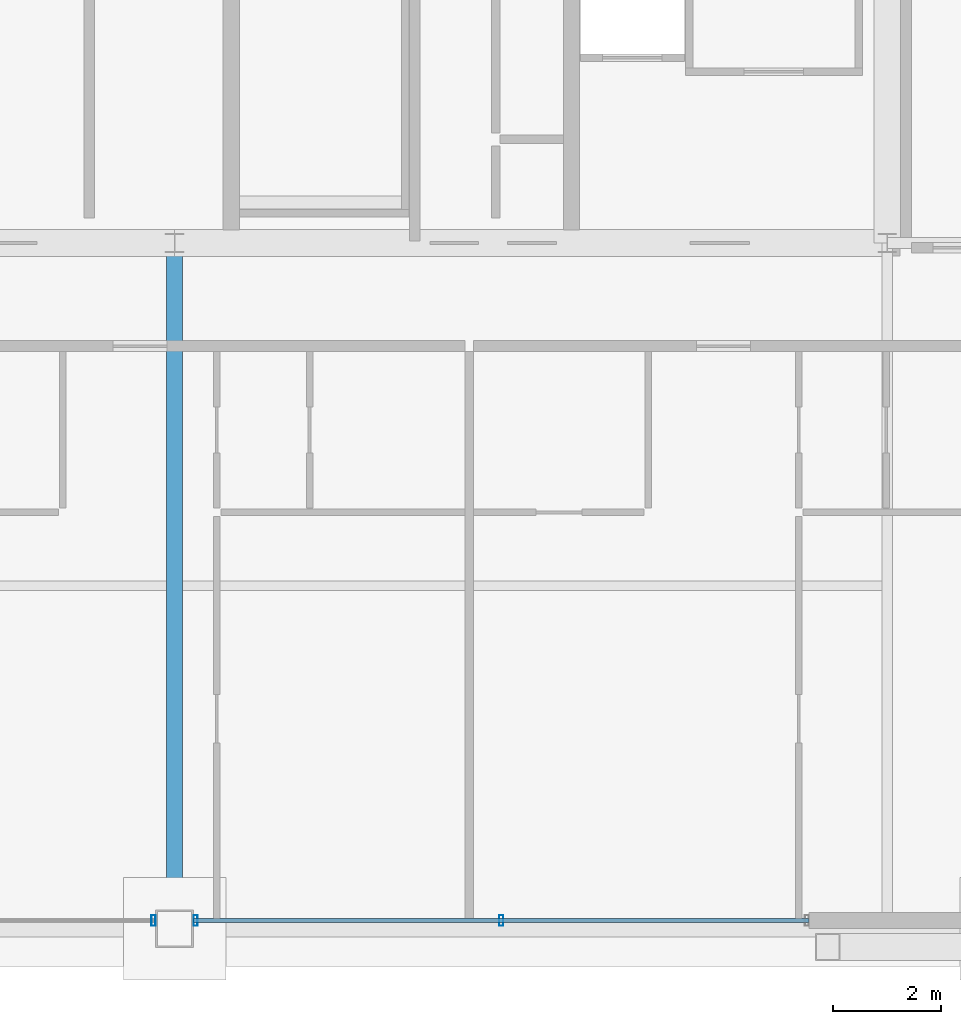
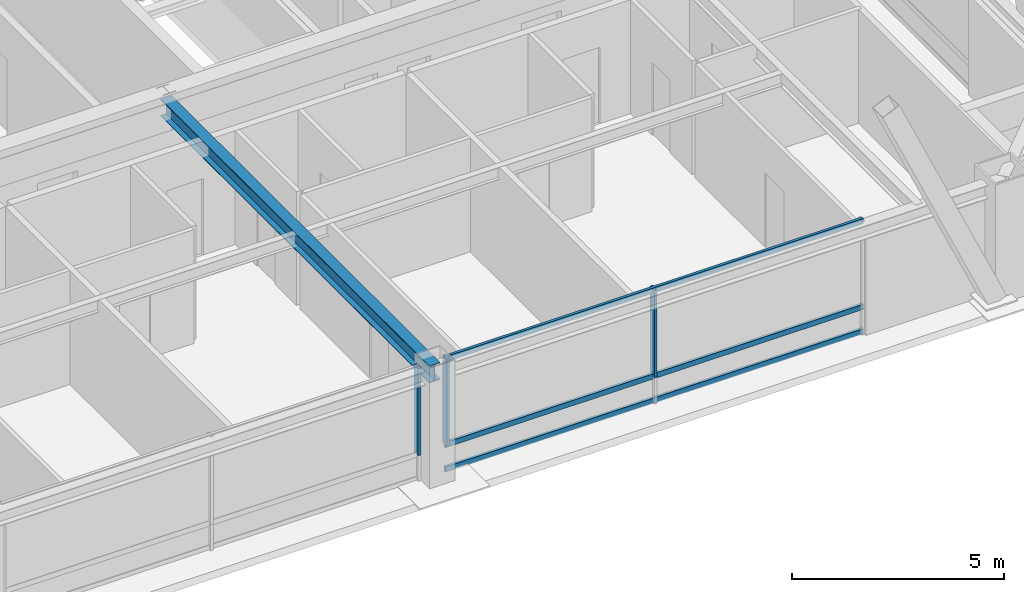
# One storey, part 8 of 35: 6 members, 1 beam, 2 elements without a shape of their own.
"""IFC4 building model written with IfcOpenShell, lengths in metres."""

from ifc_helpers import new_model, si_unit, direction, frame, origin, origin_2d, place, context, subcontext, project, spatial, hollow_rectangle, i_section, extrude, source, transform, mapped, material, layer, layer_set, material_profile, profile_set, type_object, element, aggregate, save


model = new_model("IFC4")

# Units and contexts
model_context = context("Model", 3, precision=1e-05, world=origin(), true_north=direction((0.0, 1.0)))
body_context = subcontext(model_context, "Body", "Model", "MODEL_VIEW")
ifc_project = project(units=[si_unit("LENGTHUNIT", "METRE"), si_unit("AREAUNIT", "SQUARE_METRE"), si_unit("VOLUMEUNIT", "CUBIC_METRE"), si_unit("PLANEANGLEUNIT", "RADIAN"), si_unit("MASSUNIT", "GRAM", prefix="KILO"), si_unit("THERMODYNAMICTEMPERATUREUNIT", "KELVIN"), si_unit("POWERUNIT", "WATT")], contexts=[model_context])

# Site, building, storey
site_placement = place(None, origin())
site = spatial("IfcSite", under=ifc_project, at=site_placement, CompositionType="ELEMENT")
building_placement = place(site_placement, origin())
building = spatial("IfcBuilding", under=site, at=building_placement, Name="Yuzanri Waterfront Tower", CompositionType="ELEMENT")
storey_placement = place(building_placement, frame((0.0, 0.0, 285.60009765625)))
storey = spatial("IfcBuildingStorey", under=building, at=storey_placement, Name="L76", CompositionType="ELEMENT", Elevation=285.60009765625)

# Beam
ifc_material_1 = material(Name="Steel Q355B", Category="steel")
ifc_material_profile_1 = material_profile(ifc_material_1, i_section(OverallWidth=0.300048828125, OverallDepth=0.488037109375, WebThickness=0.010986328125, FlangeThickness=0.01806640625, at=origin_2d()), Name="HM 488x300x11x18")
ifc_profile_set_1 = profile_set([ifc_material_profile_1], Name="Steel Q355B")
beam_type = type_object("IfcBeamType", Name="Primary Floor Girder Q355B HM 488x300", PredefinedType="BEAM", material=ifc_profile_set_1)
shared_shape_1 = source(origin(), body_context, "Body", "SweptSolid", [
    extrude(i_section(OverallWidth=0.300048828125, OverallDepth=0.488037109375, WebThickness=0.010986328125, FlangeThickness=0.01806640625, at=origin_2d()), origin(), (0.0, 0.0, 1.0), 12.699951171875),
])
beam_placement = place(storey_placement, frame((37.0, 19.39990234375, 3.035888671875), z_axis=(0.0, -1.0, 0.0), x_axis=(1.0, 0.0, 0.0)))
element("IfcBeam", 1, at=beam_placement, inside=storey, type_object=beam_type, Name="L76 South Grid Girder", PredefinedType="BEAM", context=body_context, shape_type="MappedRepresentation", body=[
    mapped(shared_shape_1, transform((0.0, 0.0, 0.0), scale=1.0)),
])

# Curtain wall, member
ifc_material_2 = material(Name="Anodized Architectural Bronze", Category="metal")
ifc_layer = layer(ifc_material_2, 0.159912109375)
ifc_layer_set = layer_set([ifc_layer], Name="Anodized Architectural Bronze")
curtain_wall_type = type_object("IfcCurtainWallType", Name="Anodized Bronze High-Rise Penthouse High-Wind Unitized Curtain Wall 6900", PredefinedType="NOTDEFINED", material=ifc_layer_set)
curtain_wall_1_placement = place(storey_placement, origin())
curtain_wall_1 = element("IfcCurtainWall", 2, at=curtain_wall_1_placement, inside=storey, type_object=curtain_wall_type, Name="L76 Curtain Wall CW-L76-SL", PredefinedType="NOTDEFINED")
ifc_material_3 = material(Name="Anodized Architectural Bronze", Category="metal")
ifc_material_profile_2 = material_profile(ifc_material_3, hollow_rectangle(XDim=0.074951171875, YDim=0.199951171875, WallThickness=0.00390625, at=origin_2d()), Name="CWM 75x200")
ifc_profile_set_2 = profile_set([ifc_material_profile_2], Name="Anodized Architectural Bronze")
member_type_1 = type_object("IfcMemberType", Name="Anodized Bronze Primary Curtain-Wall Mullion 75x200", PredefinedType="MULLION", material=ifc_profile_set_2)
shared_shape_2 = source(origin(), body_context, "Body", "SweptSolid", [
    extrude(hollow_rectangle(XDim=0.074951171875, YDim=0.199951171875, WallThickness=0.00390625, at=origin_2d()), origin(), (0.0, 0.0, 1.0), 2.52392578125),
])
member_1_placement = place(storey_placement, frame((36.610107421875, 6.85009765625, 0.755859375), z_axis=(0.0, 0.0, 1.0), x_axis=(1.0, 0.0, 0.0)))
member_1 = element("IfcMember", 3, at=member_1_placement, type_object=member_type_1, Name="CW-L76-SL Upper Mullion 02", PredefinedType="MULLION", context=body_context, shape_type="MappedRepresentation", body=[
    mapped(shared_shape_2, transform((0.0, 0.0, 0.0), scale=1.0)),
])
aggregate(curtain_wall_1, [member_1])

# Curtain wall, members
curtain_wall_2_placement = place(storey_placement, origin())
curtain_wall_2 = element("IfcCurtainWall", 4, at=curtain_wall_2_placement, inside=storey, type_object=curtain_wall_type, Name="L76 Curtain Wall CW-L76-SR", PredefinedType="NOTDEFINED")
member_2_placement = place(storey_placement, frame((37.389892578125, 6.85009765625, 0.755859375), z_axis=(0.0, 0.0, 1.0), x_axis=(1.0, 0.0, 0.0)))
member_2 = element("IfcMember", 5, at=member_2_placement, type_object=member_type_1, Name="CW-L76-SR Upper Mullion 00", PredefinedType="MULLION", context=body_context, shape_type="MappedRepresentation", body=[
    mapped(shared_shape_2, transform((0.0, 0.0, 0.0), scale=1.0)),
])
member_3_placement = place(storey_placement, frame((43.050048828125, 6.85009765625, 0.755859375), z_axis=(0.0, 0.0, 1.0), x_axis=(1.0, 0.0, 0.0)))
member_3 = element("IfcMember", 6, at=member_3_placement, type_object=member_type_1, Name="CW-L76-SR Upper Mullion 01", PredefinedType="MULLION", context=body_context, shape_type="MappedRepresentation", body=[
    mapped(shared_shape_2, transform((0.0, 0.0, 0.0), scale=1.0)),
])
ifc_material_4 = material(Name="Anodized Architectural Bronze", Category="metal")
ifc_material_profile_3 = material_profile(ifc_material_4, hollow_rectangle(XDim=0.074951171875, YDim=0.14990234375, WallThickness=0.00390625, at=origin_2d()), Name="CWT 75x150")
ifc_profile_set_3 = profile_set([ifc_material_profile_3], Name="Anodized Architectural Bronze")
member_type_2 = type_object("IfcMemberType", Name="Anodized Bronze Primary Curtain-Wall Transom 75x150", PredefinedType="USERDEFINED", material=ifc_profile_set_3)
shared_shape_3 = source(origin(), body_context, "Body", "SweptSolid", [
    extrude(hollow_rectangle(XDim=0.074951171875, YDim=0.14990234375, WallThickness=0.00390625, at=origin_2d()), origin(), (0.0, 0.0, 1.0), 11.39990234375),
])
member_4_placement = place(storey_placement, frame((37.35009765625, 6.85009765625, 0.0498046875), z_axis=(1.0, 0.0, 0.0), x_axis=(0.0, 1.0, 0.0)))
member_4 = element("IfcMember", 7, at=member_4_placement, type_object=member_type_2, Name="CW-L76-SR Transom 1", ObjectType="TRANSOM", PredefinedType="USERDEFINED", context=body_context, shape_type="MappedRepresentation", body=[
    mapped(shared_shape_3, transform((0.0, 0.0, 0.0), scale=1.0)),
])
member_5_placement = place(storey_placement, frame((37.35009765625, 6.85009765625, 0.75390625), z_axis=(1.0, 0.0, 0.0), x_axis=(0.0, 1.0, 0.0)))
member_5 = element("IfcMember", 8, at=member_5_placement, type_object=member_type_2, Name="CW-L76-SR Transom 2", ObjectType="TRANSOM", PredefinedType="USERDEFINED", context=body_context, shape_type="MappedRepresentation", body=[
    mapped(shared_shape_3, transform((0.0, 0.0, 0.0), scale=1.0)),
])
member_6_placement = place(storey_placement, frame((37.35009765625, 6.85009765625, 3.22998046875), z_axis=(1.0, 0.0, 0.0), x_axis=(0.0, 1.0, 0.0)))
member_6 = element("IfcMember", 9, at=member_6_placement, type_object=member_type_2, Name="CW-L76-SR Transom 3", ObjectType="TRANSOM", PredefinedType="USERDEFINED", context=body_context, shape_type="MappedRepresentation", body=[
    mapped(shared_shape_3, transform((0.0, 0.0, 0.0), scale=1.0)),
])
aggregate(curtain_wall_2, [member_2, member_3, member_4, member_5, member_6])

save(model, "model.ifc")
